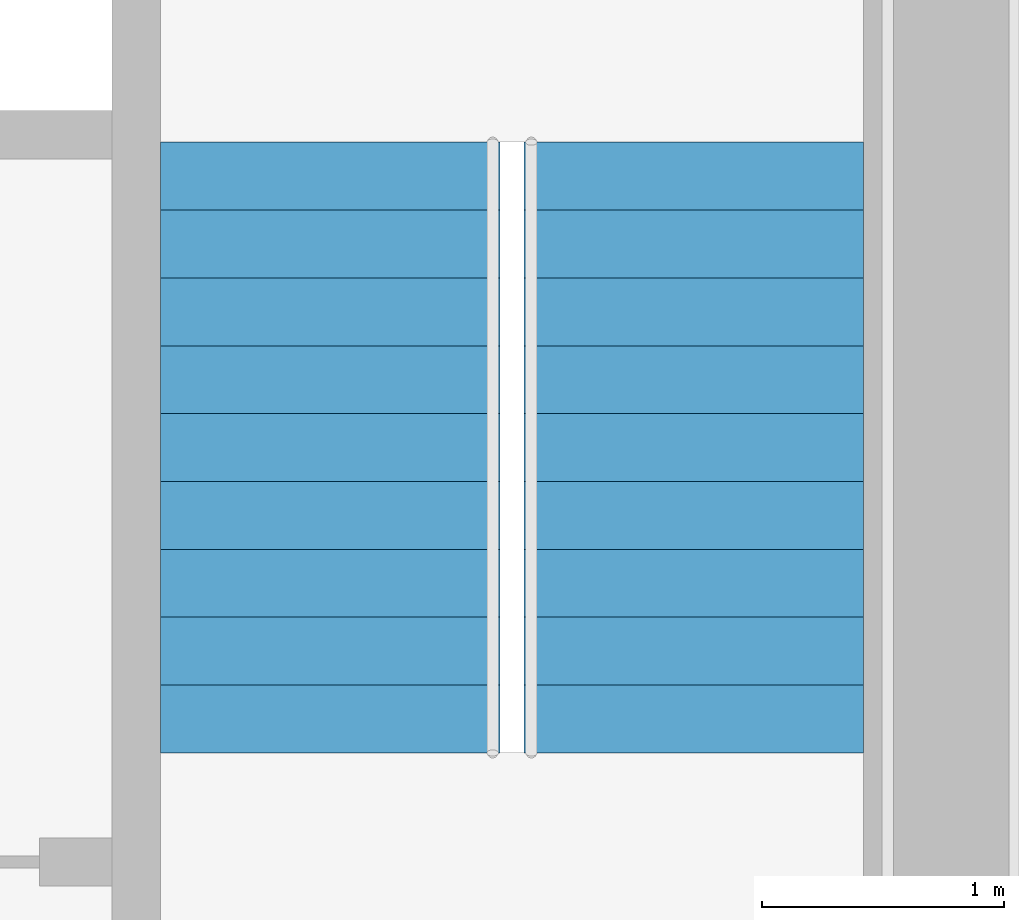
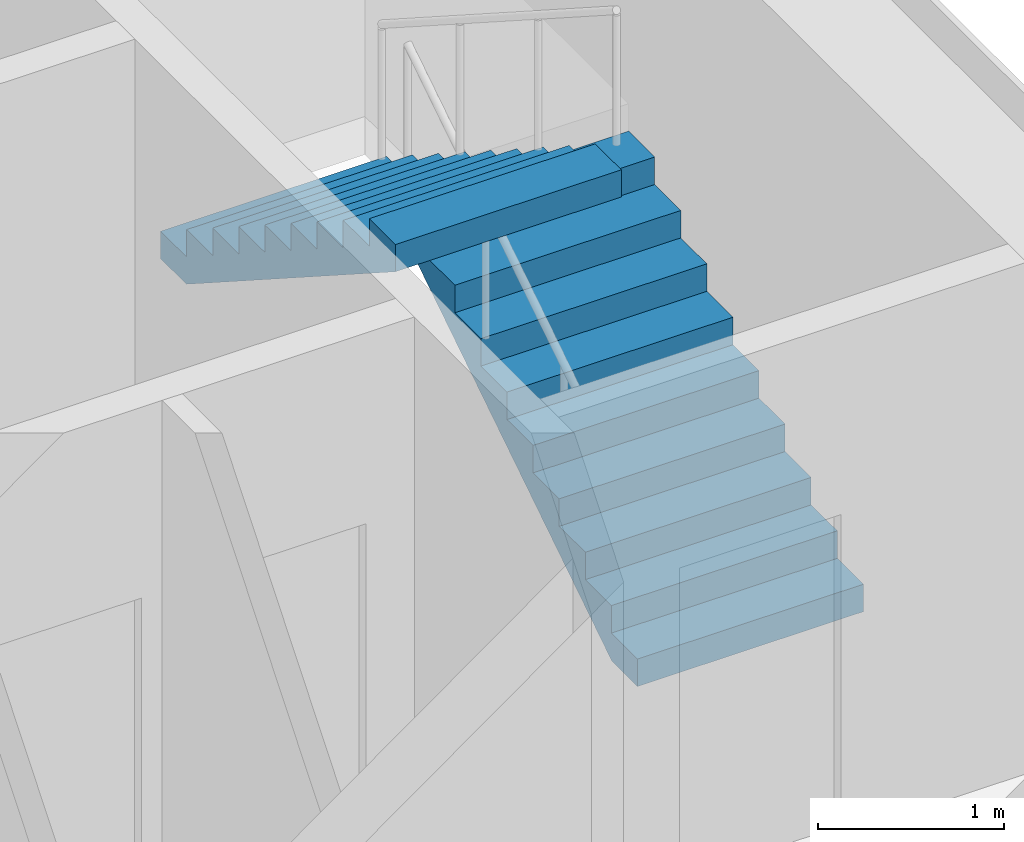
# One storey, part 39 of 40: 2 stair flights, 1 element without a shape of its own.
"""IFC4 building model written with IfcOpenShell, lengths in metres."""

from ifc_helpers import new_model, si_unit, direction, frame, origin, place, context, subcontext, project, spatial, polyline, outline, extrude, material, type_object, element, aggregate, save


model = new_model("IFC4")

# Units and contexts
model_context = context("Model", 3, precision=1e-05, world=origin(), true_north=direction((0.0, 1.0)))
body_context = subcontext(model_context, "Body", "Model", "MODEL_VIEW")
ifc_project = project(units=[si_unit("LENGTHUNIT", "METRE"), si_unit("AREAUNIT", "SQUARE_METRE"), si_unit("VOLUMEUNIT", "CUBIC_METRE"), si_unit("PLANEANGLEUNIT", "RADIAN"), si_unit("MASSUNIT", "GRAM", prefix="KILO")], contexts=[model_context])

# Site, building, storey
site_placement = place(None, origin())
site = spatial("IfcSite", under=ifc_project, at=site_placement, CompositionType="ELEMENT")
building_placement = place(site_placement, origin())
building = spatial("IfcBuilding", under=site, at=building_placement, Name="Altepetl Exchange Towers", CompositionType="ELEMENT")
storey_placement = place(building_placement, frame((0.0, 0.0, 172.60009765625)))
storey = spatial("IfcBuildingStorey", under=building, at=storey_placement, Name="L43", CompositionType="ELEMENT", Elevation=172.60009765625)

# Stair, stair flights
ifc_material = material(Name="Concrete C40/50", Category="concrete")
stair_type = type_object("IfcStairType", Name="Exit stair 1400 flights dogleg", PredefinedType="HALF_TURN_STAIR", material=ifc_material)
stair_placement = place(storey_placement, origin())
stair = element("IfcStair", 1, at=stair_placement, inside=storey, type_object=stair_type, Name="Exit stair 2", PredefinedType="HALF_TURN_STAIR")
stair_flight_type = type_object("IfcStairFlightType", Name="Stair flight 1400 wide", PredefinedType="STRAIGHT", material=ifc_material)
stair_flight_1_placement = place(storey_placement, frame((115.699951171875, 43.550048828125, 0.0), z_axis=(0.0, 0.0, 1.0), x_axis=(0.0, 1.0, 0.0)))
stair_flight_1 = element("IfcStairFlight", 2, at=stair_flight_1_placement, type_object=stair_flight_type, Name="ST-B2e flight 1", NumberOfRisers=10, NumberOfTreads=9, PredefinedType="STRAIGHT", RiserHeight=0.18, TreadLength=0.28, context=body_context, shape_type="SweptSolid", body=[
    extrude(outline(polyline([(0.0, 0.0), (0.0, 0.179931640625), (0.280029296875, 0.179931640625), (0.280029296875, 0.360107421875), (0.56005859375, 0.360107421875), (0.56005859375, 0.5400390625), (0.840087890625, 0.5400390625), (0.840087890625, 0.719970703125), (1.1201171875, 0.719970703125), (1.1201171875, 0.89990234375), (1.39990234375, 0.89990234375), (1.39990234375, 1.080078125), (1.679931640625, 1.080078125), (1.679931640625, 1.260009765625), (1.9599609375, 1.260009765625), (1.9599609375, 1.43994140625), (2.239990234375, 1.43994140625), (2.239990234375, 1.6201171875), (2.52001953125, 1.6201171875), (2.52001953125, 1.800048828125), (2.52001953125, 1.44189453125), (0.277099609375, 0.0), (0.0, 0.0)])), frame((0.0, 0.699951171875, 0.0), z_axis=(0.0, -1.0, 0.0), x_axis=(1.0, 0.0, 0.0)), (0.0, 0.0, 1.0), 1.39990234375),
])
stair_flight_2_placement = place(storey_placement, frame((114.199951171875, 46.070068359375, 1.7998046875), z_axis=(0.0, 0.0, 1.0), x_axis=(0.0, -1.0, 0.0)))
stair_flight_2 = element("IfcStairFlight", 3, at=stair_flight_2_placement, type_object=stair_flight_type, Name="ST-B2e flight 2", NumberOfRisers=10, NumberOfTreads=9, PredefinedType="STRAIGHT", RiserHeight=0.18, TreadLength=0.28, context=body_context, shape_type="SweptSolid", body=[
    extrude(outline(polyline([(0.0, 0.0), (0.0, 0.179931640625), (0.280029296875, 0.179931640625), (0.280029296875, 0.360107421875), (0.56005859375, 0.360107421875), (0.56005859375, 0.5400390625), (0.840087890625, 0.5400390625), (0.840087890625, 0.719970703125), (1.1201171875, 0.719970703125), (1.1201171875, 0.89990234375), (1.39990234375, 0.89990234375), (1.39990234375, 1.080078125), (1.679931640625, 1.080078125), (1.679931640625, 1.260009765625), (1.9599609375, 1.260009765625), (1.9599609375, 1.43994140625), (2.239990234375, 1.43994140625), (2.239990234375, 1.6201171875), (2.52001953125, 1.6201171875), (2.52001953125, 1.800048828125), (2.52001953125, 1.44189453125), (0.277099609375, 0.0), (0.0, 0.0)])), frame((0.0, 0.699951171875, 0.0), z_axis=(0.0, -1.0, 0.0), x_axis=(1.0, 0.0, 0.0)), (0.0, 0.0, 1.0), 1.39990234375),
])
aggregate(stair, [stair_flight_1, stair_flight_2])

save(model, "model.ifc")
